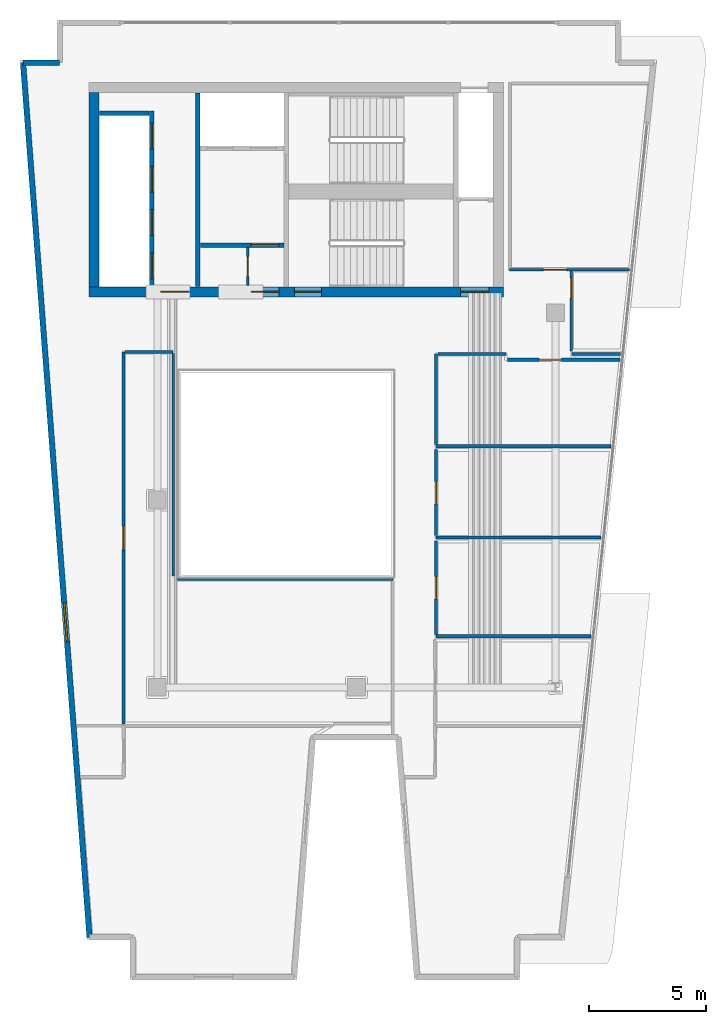
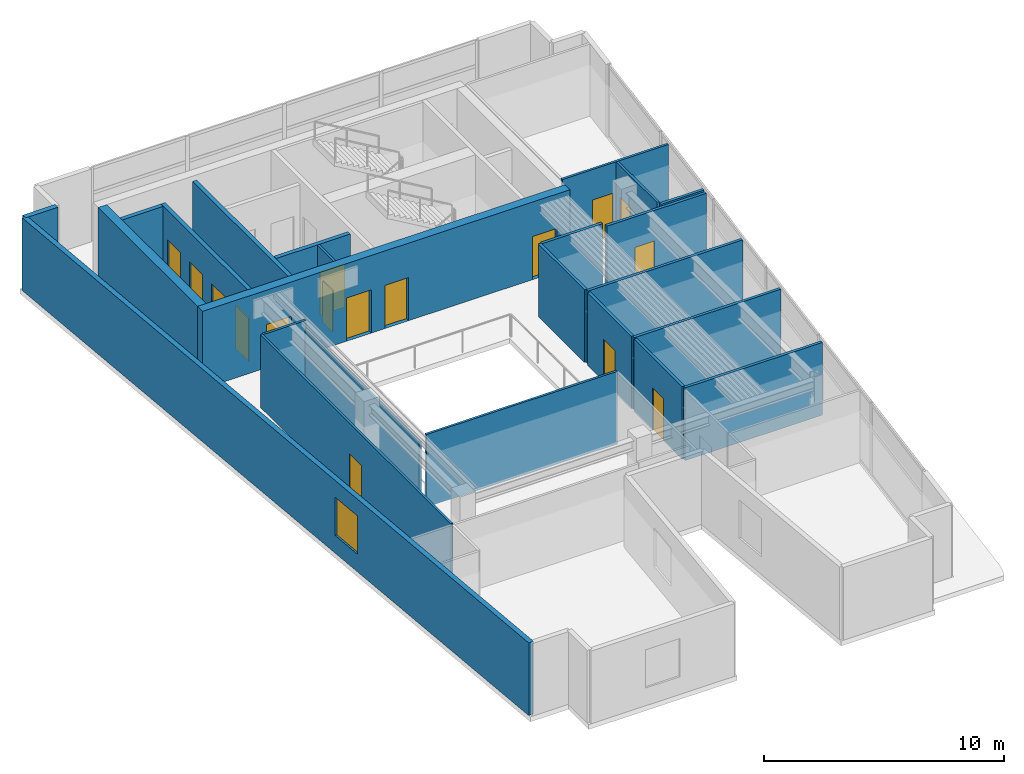
# One storey, part 3 of 6: 24 walls, 16 doors, 1 window, 17 openings.
"""IFC4 building model written with IfcOpenShell, lengths in metres."""

from ifc_helpers import new_model, si_unit, direction, frame, frame_2d, origin, place, context, subcontext, project, spatial, rectangle, extrude, material, layer, layer_set, type_object, element, fill, save


model = new_model("IFC4")

# Units and contexts
model_context = context("Model", 3, precision=1e-05, world=origin(), true_north=direction((0.0, 1.0)))
body_context = subcontext(model_context, "Body", "Model", "MODEL_VIEW")
ifc_project = project(units=[si_unit("LENGTHUNIT", "METRE"), si_unit("AREAUNIT", "SQUARE_METRE"), si_unit("VOLUMEUNIT", "CUBIC_METRE"), si_unit("PLANEANGLEUNIT", "RADIAN"), si_unit("MASSUNIT", "GRAM", prefix="KILO")], contexts=[model_context])

# Site, building, storey
site_placement = place(None, origin())
site = spatial("IfcSite", under=ifc_project, at=site_placement, CompositionType="ELEMENT")
building_placement = place(site_placement, origin())
building = spatial("IfcBuilding", under=site, at=building_placement, Name="Caeloran Harvest Quay", CompositionType="ELEMENT")
storey_placement = place(building_placement, frame((0.0, 0.0, 276.449951171875)))
storey = spatial("IfcBuildingStorey", under=building, at=storey_placement, Name="L66", CompositionType="ELEMENT", Elevation=276.449951171875)

# Wall, opening, window
ifc_material_1 = material(Name="Precast concrete C50/60", Category="concrete")
ifc_layer_1 = layer(ifc_material_1, 0.239990234375, Name="Precast concrete C50/60")
ifc_layer_set_1 = layer_set([ifc_layer_1], Name="Precast concrete C50/60")
wall_type_1 = type_object("IfcWallType", Name="ENV-WALL-EW-240", PredefinedType="STANDARD", material=ifc_layer_set_1)
wall_1_placement = place(storey_placement, frame((5.600341796875, 4.320068359375, 0.0), z_axis=(0.0, 0.0, 1.0), x_axis=(-0.075839920993, 0.997120006009, 0.0)))
wall_1 = element("IfcWall", 1, at=wall_1_placement, inside=storey, type_object=wall_type_1, Name="L66 Exterior Precast Concrete Facade Wall 3", PredefinedType="STANDARD", context=body_context, shape_type="SweptSolid", body=[
    extrude(rectangle(XDim=37.4677734375, YDim=0.239990234375, at=frame_2d((18.73388671875, 0.0))), origin(), (0.0, 0.0, 1.0), 3.699951171875),
])
opening_1_placement = place(wall_1_placement, frame((12.6630859375, 0.0, 0.89990234375)))
opening_1 = element("IfcOpeningElement", 2, at=opening_1_placement, cuts=wall_1, Name="Opening W-08", PredefinedType="OPENING", context=body_context, shape_type="SweptSolid", body=[
    extrude(rectangle(XDim=1.64990234375, YDim=1.949951171875, at=frame_2d((0.824951171875, 0.97509765625))), frame((0.0, 0.1298828125, 0.0), z_axis=(0.0, -1.0, 0.0), x_axis=(1.0, 0.0, 0.0)), (0.0, 0.0, 1.0), 0.260009765625),
])
ifc_material_2 = material(Name="Aluminium-Framed Low-E Laminated Glass", Category="aluminium")
window_type = type_object("IfcWindowType", Name="WIN-W-08", PartitioningType="SINGLE_PANEL", PredefinedType="WINDOW", material=ifc_material_2)
window_placement = place(opening_1_placement, origin())
window = element("IfcWindow", 3, at=window_placement, inside=storey, type_object=window_type, Name="L66 Facade Punched Window W-08", OverallHeight=1.949951171875, OverallWidth=1.64990234375, PartitioningType="SINGLE_PANEL", PredefinedType="WINDOW", context=body_context, shape_type="SweptSolid", body=[
    extrude(rectangle(XDim=1.64990234375, YDim=1.949951171875, at=frame_2d((0.824951171875, 0.97509765625))), frame((0.0, 0.030029296875, 0.0), z_axis=(0.0, -1.0, 0.0), x_axis=(1.0, 0.0, 0.0)), (0.0, 0.0, 1.0), 0.06005859375),
])
fill(opening_1, window)

# Wall
wall_2_placement = place(storey_placement, frame((2.7587890625, 41.679931640625, 0.0), z_axis=(0.0, 0.0, 1.0), x_axis=(1.0, 0.0, 0.0)))
element("IfcWall", 4, at=wall_2_placement, inside=storey, type_object=wall_type_1, Name="L66 Exterior Precast Concrete Facade Wall 4", PredefinedType="STANDARD", context=body_context, shape_type="SweptSolid", body=[
    extrude(rectangle(XDim=1.561279296875, YDim=0.239990234375, at=frame_2d((0.78076171875, 0.0))), origin(), (0.0, 0.0, 1.0), 3.699951171875),
])

# Wall, opening, door
ifc_material_3 = material(Name="Fire-Resisting Gypsum Core Riser Partition", Category="gypsum")
ifc_layer_2 = layer(ifc_material_3, 0.10009765625, Name="Fire-Resisting Gypsum Core Riser Partition")
ifc_layer_set_2 = layer_set([ifc_layer_2], Name="Fire-Resisting Gypsum Core Riser Partition")
wall_type_2 = type_object("IfcWallType", Name="INT-WALL-PW-100", PredefinedType="PARTITIONING", material=ifc_layer_set_2)
wall_3_placement = place(storey_placement, frame((12.360107421875, 32.159912109375, 0.0), z_axis=(0.0, 0.0, 1.0), x_axis=(0.0, 1.0, 0.0)))
wall_3 = element("IfcWall", 5, at=wall_3_placement, inside=storey, type_object=wall_type_2, Name="L66 Core Store Partition Wall", PredefinedType="PARTITIONING", context=body_context, shape_type="SweptSolid", body=[
    extrude(rectangle(XDim=1.6201171875, YDim=0.10009765625, at=frame_2d((0.81005859375, 0.0))), origin(), (0.0, 0.0, 1.0), 3.699951171875),
])
opening_2_placement = place(wall_3_placement, frame((0.3798828125, 0.0, 0.0)))
opening_2 = element("IfcOpeningElement", 6, at=opening_2_placement, cuts=wall_3, Name="Opening SV-01", PredefinedType="OPENING", context=body_context, shape_type="SweptSolid", body=[
    extrude(rectangle(XDim=0.85009765625, YDim=2.10009765625, at=frame_2d((0.425048828125, 1.050048828125))), frame((0.0, 0.06005859375, 0.0), z_axis=(0.0, -1.0, 0.0), x_axis=(1.0, 0.0, 0.0)), (0.0, 0.0, 1.0), 0.1201171875),
])
ifc_material_4 = material(Name="Galvanized Painted Steel", Category="steel")
door_type_1 = type_object("IfcDoorType", Name="INTDOOR-SV-01", OperationType="NOTDEFINED", PredefinedType="DOOR", material=ifc_material_4)
door_1_placement = place(opening_2_placement, origin())
door_1 = element("IfcDoor", 7, at=door_1_placement, inside=storey, type_object=door_type_1, Name="L66 Core Service Room Access Door", OperationType="SINGLE_SWING_RIGHT", OverallHeight=2.10009765625, OverallWidth=0.85009765625, PredefinedType="DOOR", context=body_context, shape_type="SweptSolid", body=[
    extrude(rectangle(XDim=0.85009765625, YDim=2.10009765625, at=frame_2d((0.425048828125, 1.050048828125))), frame((0.0, 0.02490234375, 0.0), z_axis=(0.0, -1.0, 0.0), x_axis=(1.0, 0.0, 0.0)), (0.0, 0.0, 1.0), 0.050048828125),
])
fill(opening_2, door_1)

ifc_material_5 = material(Name="Single-Stud Acoustic Gypsum Office Partition", Category="gypsum")
ifc_layer_3 = layer(ifc_material_5, 0.112060546875, Name="Single-Stud Acoustic Gypsum Office Partition")
ifc_layer_set_3 = layer_set([ifc_layer_3], Name="Single-Stud Acoustic Gypsum Office Partition")
wall_type_3 = type_object("IfcWallType", Name="INT-WALL-PW-112", PredefinedType="PARTITIONING", material=ifc_layer_set_3)
wall_4_placement = place(storey_placement, frame((28.654052734375, 32.840087890625, 0.0), z_axis=(0.0, 0.0, 1.0), x_axis=(-1.0, 0.0, 0.0)))
wall_4 = element("IfcWall", 8, at=wall_4_placement, inside=storey, type_object=wall_type_3, Name="L66 Bioinformatics and Crop Phenotyping Laboratory Partition Wall", PredefinedType="PARTITIONING", context=body_context, shape_type="SweptSolid", body=[
    extrude(rectangle(XDim=5.114013671875, YDim=0.112060546875, at=frame_2d((2.55712890625, 0.0))), origin(), (0.0, 0.0, 1.0), 3.699951171875),
])
opening_3_placement = place(wall_4_placement, frame((2.6767578125, 0.0, 0.0)))
opening_3 = element("IfcOpeningElement", 9, at=opening_3_placement, cuts=wall_4, Name="Opening ID-01", PredefinedType="OPENING", context=body_context, shape_type="SweptSolid", body=[
    extrude(rectangle(XDim=1.0, YDim=2.14990234375, at=frame_2d((0.5, 1.074951171875))), frame((0.0, 0.06591796875, 0.0), z_axis=(0.0, -1.0, 0.0), x_axis=(1.0, 0.0, 0.0)), (0.0, 0.0, 1.0), 0.132080078125),
])
ifc_material_6 = material(Name="FSC Solid-Core Ash Timber and Acoustic Seal", Category="wood")
door_type_2 = type_object("IfcDoorType", Name="INTDOOR-ID-01", OperationType="NOTDEFINED", PredefinedType="DOOR", material=ifc_material_6)
door_2_placement = place(opening_3_placement, origin())
door_2 = element("IfcDoor", 10, at=door_2_placement, inside=storey, type_object=door_type_2, Name="L66 Bioinformatics and Crop Phenotyping Laboratory Access Door", OperationType="SINGLE_SWING_RIGHT", OverallHeight=2.14990234375, OverallWidth=1.0, PredefinedType="DOOR", context=body_context, shape_type="SweptSolid", body=[
    extrude(rectangle(XDim=1.0, YDim=2.14990234375, at=frame_2d((0.5, 1.074951171875))), frame((0.0, 0.02490234375, 0.0), z_axis=(0.0, -1.0, 0.0), x_axis=(1.0, 0.0, 0.0)), (0.0, 0.0, 1.0), 0.050048828125),
])
fill(opening_3, door_2)

# Wall
wall_5_placement = place(storey_placement, frame((9.35009765625, 19.6201171875, 0.0), z_axis=(0.0, 0.0, 1.0), x_axis=(1.0, 0.0, 0.0)))
element("IfcWall", 11, at=wall_5_placement, inside=storey, type_object=wall_type_3, Name="Managing Principal Office Partition Wall", PredefinedType="PARTITIONING", context=body_context, shape_type="SweptSolid", body=[
    extrude(rectangle(XDim=9.199951171875, YDim=0.112060546875, at=frame_2d((4.60009765625, 0.0))), origin(), (0.0, 0.0, 1.0), 3.699951171875),
])

# Wall, opening, door
wall_6_placement = place(storey_placement, frame((7.050048828125, 13.43994140625, 0.0), z_axis=(0.0, 0.0, 1.0), x_axis=(0.0, 1.0, 0.0)))
wall_6 = element("IfcWall", 12, at=wall_6_placement, inside=storey, type_object=wall_type_3, Name="Managing Principal Office Partition Wall", PredefinedType="PARTITIONING", context=body_context, shape_type="SweptSolid", body=[
    extrude(rectangle(XDim=15.880126953125, YDim=0.112060546875, at=frame_2d((7.93994140625, 0.0))), origin(), (0.0, 0.0, 1.0), 3.699951171875),
])
opening_4_placement = place(wall_6_placement, frame((7.43994140625, 0.0, 0.0)))
opening_4 = element("IfcOpeningElement", 13, at=opening_4_placement, cuts=wall_6, Name="Opening ID-01", PredefinedType="OPENING", context=body_context, shape_type="SweptSolid", body=[
    extrude(rectangle(XDim=1.0, YDim=2.14990234375, at=frame_2d((0.5, 1.074951171875))), frame((0.0, 0.06591796875, 0.0), z_axis=(0.0, -1.0, 0.0), x_axis=(1.0, 0.0, 0.0)), (0.0, 0.0, 1.0), 0.132080078125),
])
door_3_placement = place(opening_4_placement, origin())
door_3 = element("IfcDoor", 14, at=door_3_placement, inside=storey, type_object=door_type_2, Name="Managing Principal Office Access Door", OperationType="SINGLE_SWING_RIGHT", OverallHeight=2.14990234375, OverallWidth=1.0, PredefinedType="DOOR", context=body_context, shape_type="SweptSolid", body=[
    extrude(rectangle(XDim=1.0, YDim=2.14990234375, at=frame_2d((0.5, 1.074951171875))), frame((0.0, 0.02490234375, 0.0), z_axis=(0.0, -1.0, 0.0), x_axis=(1.0, 0.0, 0.0)), (0.0, 0.0, 1.0), 0.050048828125),
])
fill(opening_4, door_3)

# Walls
wall_7_placement = place(storey_placement, frame((7.111083984375, 29.320068359375, 0.0), z_axis=(0.0, 0.0, 1.0), x_axis=(1.0, 0.0, 0.0)))
element("IfcWall", 15, at=wall_7_placement, inside=storey, type_object=wall_type_3, Name="Managing Principal Office Partition Wall", PredefinedType="PARTITIONING", context=body_context, shape_type="SweptSolid", body=[
    extrude(rectangle(XDim=2.058837890625, YDim=0.112060546875, at=frame_2d((1.029296875, 0.0))), origin(), (0.0, 0.0, 1.0), 3.699951171875),
])
wall_8_placement = place(storey_placement, frame((9.169921875, 29.259033203125, 0.0), z_axis=(0.0, 0.0, 1.0), x_axis=(0.0, -1.0, 0.0)))
element("IfcWall", 16, at=wall_8_placement, inside=storey, type_object=wall_type_3, Name="Managing Principal Office Partition Wall", PredefinedType="PARTITIONING", context=body_context, shape_type="SweptSolid", body=[
    extrude(rectangle(XDim=9.509033203125, YDim=0.112060546875, at=frame_2d((4.75439453125, 0.0))), origin(), (0.0, 0.0, 1.0), 3.28515625),
])

# Wall, opening, door
wall_9_placement = place(storey_placement, frame((26.179931640625, 29.3701171875, 0.0), z_axis=(0.0, 0.0, 1.0), x_axis=(0.0, 1.0, 0.0)))
wall_9 = element("IfcWall", 17, at=wall_9_placement, inside=storey, type_object=wall_type_3, Name="Executive Sky-Floor Office 5 Partition Wall", PredefinedType="PARTITIONING", context=body_context, shape_type="SweptSolid", body=[
    extrude(rectangle(XDim=3.408935546875, YDim=0.112060546875, at=frame_2d((1.70458984375, 0.0))), origin(), (0.0, 0.0, 1.0), 3.699951171875),
])
opening_5_placement = place(wall_9_placement, frame((2.25341796875, 0.0, 0.0)))
opening_5 = element("IfcOpeningElement", 18, at=opening_5_placement, cuts=wall_9, Name="Opening SV-01", PredefinedType="OPENING", context=body_context, shape_type="SweptSolid", body=[
    extrude(rectangle(XDim=0.85009765625, YDim=2.10009765625, at=frame_2d((0.425048828125, 1.050048828125))), frame((0.0, 0.06591796875, 0.0), z_axis=(0.0, -1.0, 0.0), x_axis=(1.0, 0.0, 0.0)), (0.0, 0.0, 1.0), 0.132080078125),
])
door_4_placement = place(opening_5_placement, origin())
door_4 = element("IfcDoor", 19, at=door_4_placement, inside=storey, type_object=door_type_1, Name="Executive Sky-Floor Office 5 Access Door", OperationType="SINGLE_SWING_LEFT", OverallHeight=2.10009765625, OverallWidth=0.85009765625, PredefinedType="DOOR", context=body_context, shape_type="SweptSolid", body=[
    extrude(rectangle(XDim=0.85009765625, YDim=2.10009765625, at=frame_2d((0.425048828125, 1.050048828125))), frame((0.0, 0.02490234375, 0.0), z_axis=(0.0, -1.0, 0.0), x_axis=(1.0, 0.0, 0.0)), (0.0, 0.0, 1.0), 0.050048828125),
])
fill(opening_5, door_4)

ifc_material_7 = material(Name="Moisture-Resistant Cement-Board Sanitary Partition", Category="gypsum")
ifc_layer_4 = layer(ifc_material_7, 0.139892578125, Name="Moisture-Resistant Cement-Board Sanitary Partition")
ifc_layer_set_4 = layer_set([ifc_layer_4], Name="Moisture-Resistant Cement-Board Sanitary Partition")
wall_type_4 = type_object("IfcWallType", Name="INT-WALL-PW-140", PredefinedType="PARTITIONING", material=ifc_layer_set_4)
wall_10_placement = place(storey_placement, frame((23.449951171875, 28.989990234375, 0.0), z_axis=(0.0, 0.0, 1.0), x_axis=(1.0, 0.0, 0.0)))
wall_10 = element("IfcWall", 20, at=wall_10_placement, inside=storey, type_object=wall_type_4, Name="L66 Male Washroom WC Partition Wall", PredefinedType="PARTITIONING", context=body_context, shape_type="SweptSolid", body=[
    extrude(rectangle(XDim=4.799560546875, YDim=0.139892578125, at=frame_2d((2.39990234375, 0.0))), origin(), (0.0, 0.0, 1.0), 3.699951171875),
])
opening_6_placement = place(wall_10_placement, frame((1.347412109375, 0.0, 0.0)))
opening_6 = element("IfcOpeningElement", 21, at=opening_6_placement, cuts=wall_10, Name="Opening WC-01", PredefinedType="OPENING", context=body_context, shape_type="SweptSolid", body=[
    extrude(rectangle(XDim=0.949951171875, YDim=2.14990234375, at=frame_2d((0.47509765625, 1.074951171875))), frame((0.0, 0.080078125, 0.0), z_axis=(0.0, -1.0, 0.0), x_axis=(1.0, 0.0, 0.0)), (0.0, 0.0, 1.0), 0.159912109375),
])
ifc_material_8 = material(Name="High-Pressure Laminate Moisture-Resistant Timber", Category="wood")
door_type_3 = type_object("IfcDoorType", Name="INTDOOR-WC-01", OperationType="NOTDEFINED", PredefinedType="DOOR", material=ifc_material_8)
door_5_placement = place(opening_6_placement, origin())
door_5 = element("IfcDoor", 22, at=door_5_placement, inside=storey, type_object=door_type_3, Name="L66 Male Washroom WC Access Door", OperationType="SINGLE_SWING_RIGHT", OverallHeight=2.14990234375, OverallWidth=0.949951171875, PredefinedType="DOOR", context=body_context, shape_type="SweptSolid", body=[
    extrude(rectangle(XDim=0.949951171875, YDim=2.14990234375, at=frame_2d((0.47509765625, 1.074951171875))), frame((0.0, 0.02490234375, 0.0), z_axis=(0.0, -1.0, 0.0), x_axis=(1.0, 0.0, 0.0)), (0.0, 0.0, 1.0), 0.050048828125),
])
fill(opening_6, door_5)

# Walls
wall_11_placement = place(storey_placement, frame((26.2099609375, 29.239990234375, 0.0), z_axis=(0.0, 0.0, 1.0), x_axis=(1.0, 0.0, 0.0)))
element("IfcWall", 23, at=wall_11_placement, inside=storey, type_object=wall_type_4, Name="L66 Male Washroom WC Partition Wall", PredefinedType="PARTITIONING", context=body_context, shape_type="SweptSolid", body=[
    extrude(rectangle(XDim=2.06591796875, YDim=0.139892578125, at=frame_2d((1.032958984375, 0.0))), origin(), (0.0, 0.0, 1.0), 3.699951171875),
])
wall_12_placement = place(storey_placement, frame((27.862060546875, 25.300048828125, 0.0), z_axis=(0.0, 0.0, 1.0), x_axis=(-1.0, 0.0, 0.0)))
element("IfcWall", 24, at=wall_12_placement, inside=storey, type_object=wall_type_4, Name="L66 Male Washroom WC Partition Wall", PredefinedType="PARTITIONING", context=body_context, shape_type="SweptSolid", body=[
    extrude(rectangle(XDim=7.462158203125, YDim=0.139892578125, at=frame_2d((3.73095703125, 0.0))), origin(), (0.0, 0.0, 1.0), 3.699951171875),
])
wall_13_placement = place(storey_placement, frame((20.39990234375, 25.375, 0.0), z_axis=(0.0, 0.0, 1.0), x_axis=(0.0, 1.0, 0.0)))
element("IfcWall", 25, at=wall_13_placement, inside=storey, type_object=wall_type_4, Name="L66 Male Washroom WC Partition Wall", PredefinedType="PARTITIONING", context=body_context, shape_type="SweptSolid", body=[
    extrude(rectangle(XDim=3.864990234375, YDim=0.139892578125, at=frame_2d((1.9326171875, 0.0))), origin(), (0.0, 0.0, 1.0), 3.699951171875),
])
wall_14_placement = place(storey_placement, frame((20.47509765625, 29.239990234375, 0.0), z_axis=(0.0, 0.0, 1.0), x_axis=(1.0, 0.0, 0.0)))
element("IfcWall", 26, at=wall_14_placement, inside=storey, type_object=wall_type_4, Name="L66 Male Washroom WC Partition Wall", PredefinedType="PARTITIONING", context=body_context, shape_type="SweptSolid", body=[
    extrude(rectangle(XDim=2.914794921875, YDim=0.139892578125, at=frame_2d((1.45751953125, 0.0))), origin(), (0.0, 0.0, 1.0), 3.699951171875),
])
wall_15_placement = place(storey_placement, frame((27.452392578125, 21.39990234375, 0.0), z_axis=(0.0, 0.0, 1.0), x_axis=(-1.0, 0.0, 0.0)))
element("IfcWall", 27, at=wall_15_placement, inside=storey, type_object=wall_type_4, Name="L66 Female Washroom WC Partition Wall", PredefinedType="PARTITIONING", context=body_context, shape_type="SweptSolid", body=[
    extrude(rectangle(XDim=7.052490234375, YDim=0.139892578125, at=frame_2d((3.5263671875, 0.0))), origin(), (0.0, 0.0, 1.0), 3.699951171875),
])

# Wall, opening, door
wall_16_placement = place(storey_placement, frame((20.39990234375, 21.47509765625, 0.0), z_axis=(0.0, 0.0, 1.0), x_axis=(0.0, 1.0, 0.0)))
wall_16 = element("IfcWall", 28, at=wall_16_placement, inside=storey, type_object=wall_type_4, Name="L66 Female Washroom WC Partition Wall", PredefinedType="PARTITIONING", context=body_context, shape_type="SweptSolid", body=[
    extrude(rectangle(XDim=3.6748046875, YDim=0.139892578125, at=frame_2d((1.83740234375, 0.0))), origin(), (0.0, 0.0, 1.0), 3.699951171875),
])
opening_7_placement = place(wall_16_placement, frame((1.362548828125, 0.0, 0.0)))
opening_7 = element("IfcOpeningElement", 29, at=opening_7_placement, cuts=wall_16, Name="Opening WC-01", PredefinedType="OPENING", context=body_context, shape_type="SweptSolid", body=[
    extrude(rectangle(XDim=0.949951171875, YDim=2.14990234375, at=frame_2d((0.47509765625, 1.074951171875))), frame((0.0, 0.080078125, 0.0), z_axis=(0.0, -1.0, 0.0), x_axis=(1.0, 0.0, 0.0)), (0.0, 0.0, 1.0), 0.159912109375),
])
door_6_placement = place(opening_7_placement, origin())
door_6 = element("IfcDoor", 30, at=door_6_placement, inside=storey, type_object=door_type_3, Name="L66 Female Washroom WC Access Door", OperationType="SINGLE_SWING_LEFT", OverallHeight=2.14990234375, OverallWidth=0.949951171875, PredefinedType="DOOR", context=body_context, shape_type="SweptSolid", body=[
    extrude(rectangle(XDim=0.949951171875, YDim=2.14990234375, at=frame_2d((0.47509765625, 1.074951171875))), frame((0.0, 0.02490234375, 0.0), z_axis=(0.0, -1.0, 0.0), x_axis=(1.0, 0.0, 0.0)), (0.0, 0.0, 1.0), 0.050048828125),
])
fill(opening_7, door_6)

# Wall
wall_17_placement = place(storey_placement, frame((27.00927734375, 17.179931640625, 0.0), z_axis=(0.0, 0.0, 1.0), x_axis=(-1.0, 0.0, 0.0)))
element("IfcWall", 31, at=wall_17_placement, inside=storey, type_object=wall_type_4, Name="L66 Accessible Unisex Washroom WC Partition Wall", PredefinedType="PARTITIONING", context=body_context, shape_type="SweptSolid", body=[
    extrude(rectangle(XDim=6.609375, YDim=0.139892578125, at=frame_2d((3.3046875, 0.0))), origin(), (0.0, 0.0, 1.0), 3.699951171875),
])

# Wall, opening, door
wall_18_placement = place(storey_placement, frame((20.39990234375, 17.2548828125, 0.0), z_axis=(0.0, 0.0, 1.0), x_axis=(0.0, 1.0, 0.0)))
wall_18 = element("IfcWall", 32, at=wall_18_placement, inside=storey, type_object=wall_type_4, Name="L66 Accessible Unisex Washroom WC Partition Wall", PredefinedType="PARTITIONING", context=body_context, shape_type="SweptSolid", body=[
    extrude(rectangle(XDim=3.9951171875, YDim=0.139892578125, at=frame_2d((1.99755859375, 0.0))), origin(), (0.0, 0.0, 1.0), 3.699951171875),
])
opening_8_placement = place(wall_18_placement, frame((1.5224609375, 0.0, 0.0)))
opening_8 = element("IfcOpeningElement", 33, at=opening_8_placement, cuts=wall_18, Name="Opening WC-01", PredefinedType="OPENING", context=body_context, shape_type="SweptSolid", body=[
    extrude(rectangle(XDim=0.949951171875, YDim=2.14990234375, at=frame_2d((0.47509765625, 1.074951171875))), frame((0.0, 0.080078125, 0.0), z_axis=(0.0, -1.0, 0.0), x_axis=(1.0, 0.0, 0.0)), (0.0, 0.0, 1.0), 0.159912109375),
])
door_7_placement = place(opening_8_placement, origin())
door_7 = element("IfcDoor", 34, at=door_7_placement, inside=storey, type_object=door_type_3, Name="L66 Accessible Unisex Washroom WC Access Door", OperationType="SINGLE_SWING_RIGHT", OverallHeight=2.14990234375, OverallWidth=0.949951171875, PredefinedType="DOOR", context=body_context, shape_type="SweptSolid", body=[
    extrude(rectangle(XDim=0.949951171875, YDim=2.14990234375, at=frame_2d((0.47509765625, 1.074951171875))), frame((0.0, 0.02490234375, 0.0), z_axis=(0.0, -1.0, 0.0), x_axis=(1.0, 0.0, 0.0)), (0.0, 0.0, 1.0), 0.050048828125),
])
fill(opening_8, door_7)

# Wall, openings, doors
ifc_material_9 = material(Name="Concrete C50/60", Category="concrete")
ifc_layer_5 = layer(ifc_material_9, 0.199951171875, Name="Concrete C50/60")
ifc_layer_set_5 = layer_set([ifc_layer_5], Name="Concrete C50/60")
wall_type_5 = type_object("IfcWallType", Name="INT-WALL-SW-200", PredefinedType="PARTITIONING", material=ifc_layer_set_5)
wall_19_placement = place(storey_placement, frame((8.260009765625, 32.1201171875, 0.0), z_axis=(0.0, 0.0, 1.0), x_axis=(0.0, 1.0, 0.0)))
wall_19 = element("IfcWall", 35, at=wall_19_placement, inside=storey, type_object=wall_type_5, Name="L66 Bank 3 Lift Shaft Wall", PredefinedType="PARTITIONING", context=body_context, shape_type="SweptSolid", body=[
    extrude(rectangle(XDim=7.5, YDim=0.199951171875, at=frame_2d((3.75, 0.0))), origin(), (0.0, 0.0, 1.0), 3.699951171875),
])
opening_9_placement = place(wall_19_placement, frame((0.330078125, 0.0, 0.0)))
opening_9 = element("IfcOpeningElement", 36, at=opening_9_placement, cuts=wall_19, Name="Opening LD-01", PredefinedType="OPENING", context=body_context, shape_type="SweptSolid", body=[
    extrude(rectangle(XDim=1.10009765625, YDim=2.199951171875, at=frame_2d((0.550048828125, 1.10009765625))), frame((0.0, 0.10986328125, 0.0), z_axis=(0.0, -1.0, 0.0), x_axis=(1.0, 0.0, 0.0)), (0.0, 0.0, 1.0), 0.219970703125),
])
opening_10_placement = place(wall_19_placement, frame((2.179931640625, 0.0, 0.0)))
opening_10 = element("IfcOpeningElement", 37, at=opening_10_placement, cuts=wall_19, Name="Opening LD-01", PredefinedType="OPENING", context=body_context, shape_type="SweptSolid", body=[
    extrude(rectangle(XDim=1.10009765625, YDim=2.199951171875, at=frame_2d((0.550048828125, 1.10009765625))), frame((0.0, 0.10986328125, 0.0), z_axis=(0.0, -1.0, 0.0), x_axis=(1.0, 0.0, 0.0)), (0.0, 0.0, 1.0), 0.219970703125),
])
opening_11_placement = place(wall_19_placement, frame((4.030029296875, 0.0, 0.0)))
opening_11 = element("IfcOpeningElement", 38, at=opening_11_placement, cuts=wall_19, Name="Opening LD-01", PredefinedType="OPENING", context=body_context, shape_type="SweptSolid", body=[
    extrude(rectangle(XDim=1.10009765625, YDim=2.199951171875, at=frame_2d((0.550048828125, 1.10009765625))), frame((0.0, 0.10986328125, 0.0), z_axis=(0.0, -1.0, 0.0), x_axis=(1.0, 0.0, 0.0)), (0.0, 0.0, 1.0), 0.219970703125),
])
opening_12_placement = place(wall_19_placement, frame((5.8798828125, 0.0, 0.0)))
opening_12 = element("IfcOpeningElement", 39, at=opening_12_placement, cuts=wall_19, Name="Opening LD-01", PredefinedType="OPENING", context=body_context, shape_type="SweptSolid", body=[
    extrude(rectangle(XDim=1.10009765625, YDim=2.199951171875, at=frame_2d((0.550048828125, 1.10009765625))), frame((0.0, 0.10986328125, 0.0), z_axis=(0.0, -1.0, 0.0), x_axis=(1.0, 0.0, 0.0)), (0.0, 0.0, 1.0), 0.219970703125),
])
ifc_material_10 = material(Name="Stainless Steel Grade 316", Category="steel")
door_type_4 = type_object("IfcDoorType", Name="INTDOOR-LD-01", OperationType="NOTDEFINED", PredefinedType="DOOR", material=ifc_material_10)
door_8_placement = place(opening_9_placement, origin())
door_8 = element("IfcDoor", 40, at=door_8_placement, inside=storey, type_object=door_type_4, Name="Lift P3-1 Sliding Landing Door (L66)", OperationType="DOUBLE_DOOR_SLIDING", OverallHeight=2.199951171875, OverallWidth=1.10009765625, PredefinedType="DOOR", context=body_context, shape_type="SweptSolid", body=[
    extrude(rectangle(XDim=1.10009765625, YDim=2.199951171875, at=frame_2d((0.550048828125, 1.10009765625))), frame((0.0, 0.02490234375, 0.0), z_axis=(0.0, -1.0, 0.0), x_axis=(1.0, 0.0, 0.0)), (0.0, 0.0, 1.0), 0.050048828125),
])
fill(opening_9, door_8)
door_9_placement = place(opening_10_placement, origin())
door_9 = element("IfcDoor", 41, at=door_9_placement, inside=storey, type_object=door_type_4, Name="Lift P3-2 Sliding Landing Door (L66)", OperationType="DOUBLE_DOOR_SLIDING", OverallHeight=2.199951171875, OverallWidth=1.10009765625, PredefinedType="DOOR", context=body_context, shape_type="SweptSolid", body=[
    extrude(rectangle(XDim=1.10009765625, YDim=2.199951171875, at=frame_2d((0.550048828125, 1.10009765625))), frame((0.0, 0.02490234375, 0.0), z_axis=(0.0, -1.0, 0.0), x_axis=(1.0, 0.0, 0.0)), (0.0, 0.0, 1.0), 0.050048828125),
])
fill(opening_10, door_9)
door_10_placement = place(opening_11_placement, origin())
door_10 = element("IfcDoor", 42, at=door_10_placement, inside=storey, type_object=door_type_4, Name="Lift P3-3 Sliding Landing Door (L66)", OperationType="DOUBLE_DOOR_SLIDING", OverallHeight=2.199951171875, OverallWidth=1.10009765625, PredefinedType="DOOR", context=body_context, shape_type="SweptSolid", body=[
    extrude(rectangle(XDim=1.10009765625, YDim=2.199951171875, at=frame_2d((0.550048828125, 1.10009765625))), frame((0.0, 0.02490234375, 0.0), z_axis=(0.0, -1.0, 0.0), x_axis=(1.0, 0.0, 0.0)), (0.0, 0.0, 1.0), 0.050048828125),
])
fill(opening_11, door_10)
door_11_placement = place(opening_12_placement, origin())
door_11 = element("IfcDoor", 43, at=door_11_placement, inside=storey, type_object=door_type_4, Name="Lift P3-4 Sliding Landing Door (L66)", OperationType="DOUBLE_DOOR_SLIDING", OverallHeight=2.199951171875, OverallWidth=1.10009765625, PredefinedType="DOOR", context=body_context, shape_type="SweptSolid", body=[
    extrude(rectangle(XDim=1.10009765625, YDim=2.199951171875, at=frame_2d((0.550048828125, 1.10009765625))), frame((0.0, 0.02490234375, 0.0), z_axis=(0.0, -1.0, 0.0), x_axis=(1.0, 0.0, 0.0)), (0.0, 0.0, 1.0), 0.050048828125),
])
fill(opening_12, door_11)

# Walls
wall_20_placement = place(storey_placement, frame((6.02001953125, 39.52001953125, 0.0), z_axis=(0.0, 0.0, 1.0), x_axis=(1.0, 0.0, 0.0)))
element("IfcWall", 44, at=wall_20_placement, inside=storey, type_object=wall_type_5, Name="L66 Bank 3 Lift Shaft North End Wall", PredefinedType="PARTITIONING", context=body_context, shape_type="SweptSolid", body=[
    extrude(rectangle(XDim=2.119873046875, YDim=0.199951171875, at=frame_2d((1.06005859375, 0.0))), origin(), (0.0, 0.0, 1.0), 3.699951171875),
])
wall_21_placement = place(storey_placement, frame((10.219970703125, 32.1201171875, 0.0), z_axis=(0.0, 0.0, 1.0), x_axis=(0.0, 1.0, 0.0)))
element("IfcWall", 45, at=wall_21_placement, inside=storey, type_object=wall_type_5, Name="L66 Core Lobby Compartment Wall", PredefinedType="PARTITIONING", context=body_context, shape_type="SweptSolid", body=[
    extrude(rectangle(XDim=8.259765625, YDim=0.199951171875, at=frame_2d((4.1298828125, 0.0))), origin(), (0.0, 0.0, 1.0), 3.699951171875),
])

# Wall, opening, door
wall_22_placement = place(storey_placement, frame((10.340087890625, 33.8798828125, 0.0), z_axis=(0.0, 0.0, 1.0), x_axis=(1.0, 0.0, 0.0)))
wall_22 = element("IfcWall", 46, at=wall_22_placement, inside=storey, type_object=wall_type_5, Name="L66 Firefighting Lift Lobby Enclosure Wall", PredefinedType="PARTITIONING", context=body_context, shape_type="SweptSolid", body=[
    extrude(rectangle(XDim=3.559814453125, YDim=0.199951171875, at=frame_2d((1.77978515625, 0.0))), origin(), (0.0, 0.0, 1.0), 3.699951171875),
])
opening_13_placement = place(wall_22_placement, frame((2.14990234375, 0.0, 0.0)))
opening_13 = element("IfcOpeningElement", 47, at=opening_13_placement, cuts=wall_22, Name="Opening FD-01", PredefinedType="OPENING", context=body_context, shape_type="SweptSolid", body=[
    extrude(rectangle(XDim=1.199951171875, YDim=2.199951171875, at=frame_2d((0.60009765625, 1.10009765625))), frame((0.0, 0.10986328125, 0.0), z_axis=(0.0, -1.0, 0.0), x_axis=(1.0, 0.0, 0.0)), (0.0, 0.0, 1.0), 0.219970703125),
])
ifc_material_11 = material(Name="Steel", Category="steel")
door_type_5 = type_object("IfcDoorType", Name="INTDOOR-FD-01", OperationType="NOTDEFINED", PredefinedType="DOOR", material=ifc_material_11)
door_12_placement = place(opening_13_placement, origin())
door_12 = element("IfcDoor", 48, at=door_12_placement, inside=storey, type_object=door_type_5, Name="L66 Firefighting Lift Lobby Smoke-Seal Fire Door", OperationType="SINGLE_SWING_RIGHT", OverallHeight=2.199951171875, OverallWidth=1.199951171875, PredefinedType="DOOR", context=body_context, shape_type="SweptSolid", body=[
    extrude(rectangle(XDim=1.199951171875, YDim=2.199951171875, at=frame_2d((0.60009765625, 1.10009765625))), frame((0.0, 0.02490234375, 0.0), z_axis=(0.0, -1.0, 0.0), x_axis=(1.0, 0.0, 0.0)), (0.0, 0.0, 1.0), 0.050048828125),
])
fill(opening_13, door_12)

# Wall, openings, doors
ifc_material_12 = material(Name="Concrete C60/75", Category="concrete")
ifc_layer_6 = layer(ifc_material_12, 0.419921875, Name="Concrete C60/75")
ifc_layer_set_6 = layer_set([ifc_layer_6], Name="Concrete C60/75")
wall_type_6 = type_object("IfcWallType", Name="STR-WALL-CW-420", PredefinedType="SHEAR", material=ifc_layer_set_6)
wall_23_placement = place(storey_placement, frame((5.580078125, 31.889892578125, 0.0), z_axis=(0.0, 0.0, 1.0), x_axis=(1.0, 0.0, 0.0)))
wall_23 = element("IfcWall", 49, at=wall_23_placement, inside=storey, type_object=wall_type_6, Name="L66 Rear Core Shear Wall S", PredefinedType="SHEAR", context=body_context, shape_type="SweptSolid", body=[
    extrude(rectangle(XDim=17.68994140625, YDim=0.419921875, at=frame_2d((8.844970703125, 0.0))), origin(), (0.0, 0.0, 1.0), 3.949951171875),
])
opening_14_placement = place(wall_23_placement, frame((3.070068359375, 0.0, 0.0)))
opening_14 = element("IfcOpeningElement", 50, at=opening_14_placement, cuts=wall_23, Name="Opening FD-01", PredefinedType="OPENING", context=body_context, shape_type="SweptSolid", body=[
    extrude(rectangle(XDim=1.199951171875, YDim=2.199951171875, at=frame_2d((0.60009765625, 1.10009765625))), frame((0.0, 0.219970703125, 0.0), z_axis=(0.0, -1.0, 0.0), x_axis=(1.0, 0.0, 0.0)), (0.0, 0.0, 1.0), 0.43994140625),
])
opening_15_placement = place(wall_23_placement, frame((6.919921875, 0.0, 0.0)))
opening_15 = element("IfcOpeningElement", 51, at=opening_15_placement, cuts=wall_23, Name="Opening FD-01", PredefinedType="OPENING", context=body_context, shape_type="SweptSolid", body=[
    extrude(rectangle(XDim=1.199951171875, YDim=2.199951171875, at=frame_2d((0.60009765625, 1.10009765625))), frame((0.0, 0.219970703125, 0.0), z_axis=(0.0, -1.0, 0.0), x_axis=(1.0, 0.0, 0.0)), (0.0, 0.0, 1.0), 0.43994140625),
])
opening_16_placement = place(wall_23_placement, frame((8.77001953125, 0.0, 0.0)))
opening_16 = element("IfcOpeningElement", 52, at=opening_16_placement, cuts=wall_23, Name="Opening SD-01", PredefinedType="OPENING", context=body_context, shape_type="SweptSolid", body=[
    extrude(rectangle(XDim=1.14990234375, YDim=2.199951171875, at=frame_2d((0.574951171875, 1.10009765625))), frame((0.0, 0.219970703125, 0.0), z_axis=(0.0, -1.0, 0.0), x_axis=(1.0, 0.0, 0.0)), (0.0, 0.0, 1.0), 0.43994140625),
])
opening_17_placement = place(wall_23_placement, frame((15.8701171875, 0.0, 0.0)))
opening_17 = element("IfcOpeningElement", 53, at=opening_17_placement, cuts=wall_23, Name="Opening FD-01", PredefinedType="OPENING", context=body_context, shape_type="SweptSolid", body=[
    extrude(rectangle(XDim=1.199951171875, YDim=2.199951171875, at=frame_2d((0.60009765625, 1.10009765625))), frame((0.0, 0.219970703125, 0.0), z_axis=(0.0, -1.0, 0.0), x_axis=(1.0, 0.0, 0.0)), (0.0, 0.0, 1.0), 0.43994140625),
])
door_13_placement = place(opening_14_placement, origin())
door_13 = element("IfcDoor", 54, at=door_13_placement, inside=storey, type_object=door_type_5, Name="L66 High-Rise Lift Lobby Fire Door", OperationType="SINGLE_SWING_RIGHT", OverallHeight=2.199951171875, OverallWidth=1.199951171875, PredefinedType="DOOR", context=body_context, shape_type="SweptSolid", body=[
    extrude(rectangle(XDim=1.199951171875, YDim=2.199951171875, at=frame_2d((0.60009765625, 1.10009765625))), frame((0.0, 0.02490234375, 0.0), z_axis=(0.0, -1.0, 0.0), x_axis=(1.0, 0.0, 0.0)), (0.0, 0.0, 1.0), 0.050048828125),
])
fill(opening_14, door_13)
door_14_placement = place(opening_15_placement, origin())
door_14 = element("IfcDoor", 55, at=door_14_placement, inside=storey, type_object=door_type_5, Name="L66 Firefighting Lobby Vestibule Fire Door", OperationType="SINGLE_SWING_LEFT", OverallHeight=2.199951171875, OverallWidth=1.199951171875, PredefinedType="DOOR", context=body_context, shape_type="SweptSolid", body=[
    extrude(rectangle(XDim=1.199951171875, YDim=2.199951171875, at=frame_2d((0.60009765625, 1.10009765625))), frame((0.0, 0.02490234375, 0.0), z_axis=(0.0, -1.0, 0.0), x_axis=(1.0, 0.0, 0.0)), (0.0, 0.0, 1.0), 0.050048828125),
])
fill(opening_15, door_14)
door_15_placement = place(opening_17_placement, origin())
door_15 = element("IfcDoor", 56, at=door_15_placement, inside=storey, type_object=door_type_5, Name="L66 Service Lift Lobby Fire Door", OperationType="SINGLE_SWING_LEFT", OverallHeight=2.199951171875, OverallWidth=1.199951171875, PredefinedType="DOOR", context=body_context, shape_type="SweptSolid", body=[
    extrude(rectangle(XDim=1.199951171875, YDim=2.199951171875, at=frame_2d((0.60009765625, 1.10009765625))), frame((0.0, 0.02490234375, 0.0), z_axis=(0.0, -1.0, 0.0), x_axis=(1.0, 0.0, 0.0)), (0.0, 0.0, 1.0), 0.050048828125),
])
fill(opening_17, door_15)
door_type_6 = type_object("IfcDoorType", Name="INTDOOR-SD-01", OperationType="NOTDEFINED", PredefinedType="DOOR", material=ifc_material_11)
door_16_placement = place(opening_16_placement, origin())
door_16 = element("IfcDoor", 57, at=door_16_placement, inside=storey, type_object=door_type_6, Name="L66 Protected Stair ST-C2 Exit Door", OperationType="SINGLE_SWING_RIGHT", OverallHeight=2.199951171875, OverallWidth=1.14990234375, PredefinedType="DOOR", context=body_context, shape_type="SweptSolid", body=[
    extrude(rectangle(XDim=1.14990234375, YDim=2.199951171875, at=frame_2d((0.574951171875, 1.10009765625))), frame((0.0, 0.02490234375, 0.0), z_axis=(0.0, -1.0, 0.0), x_axis=(1.0, 0.0, 0.0)), (0.0, 0.0, 1.0), 0.050048828125),
])
fill(opening_16, door_16)

# Wall
wall_24_placement = place(storey_placement, frame((5.7900390625, 32.10009765625, 0.0), z_axis=(0.0, 0.0, 1.0), x_axis=(0.0, 1.0, 0.0)))
element("IfcWall", 58, at=wall_24_placement, inside=storey, type_object=wall_type_6, Name="L66 Rear Core Shear Wall W", PredefinedType="SHEAR", context=body_context, shape_type="SweptSolid", body=[
    extrude(rectangle(XDim=8.2998046875, YDim=0.419921875, at=frame_2d((4.14990234375, 0.0))), origin(), (0.0, 0.0, 1.0), 3.949951171875),
])

save(model, "model.ifc")
